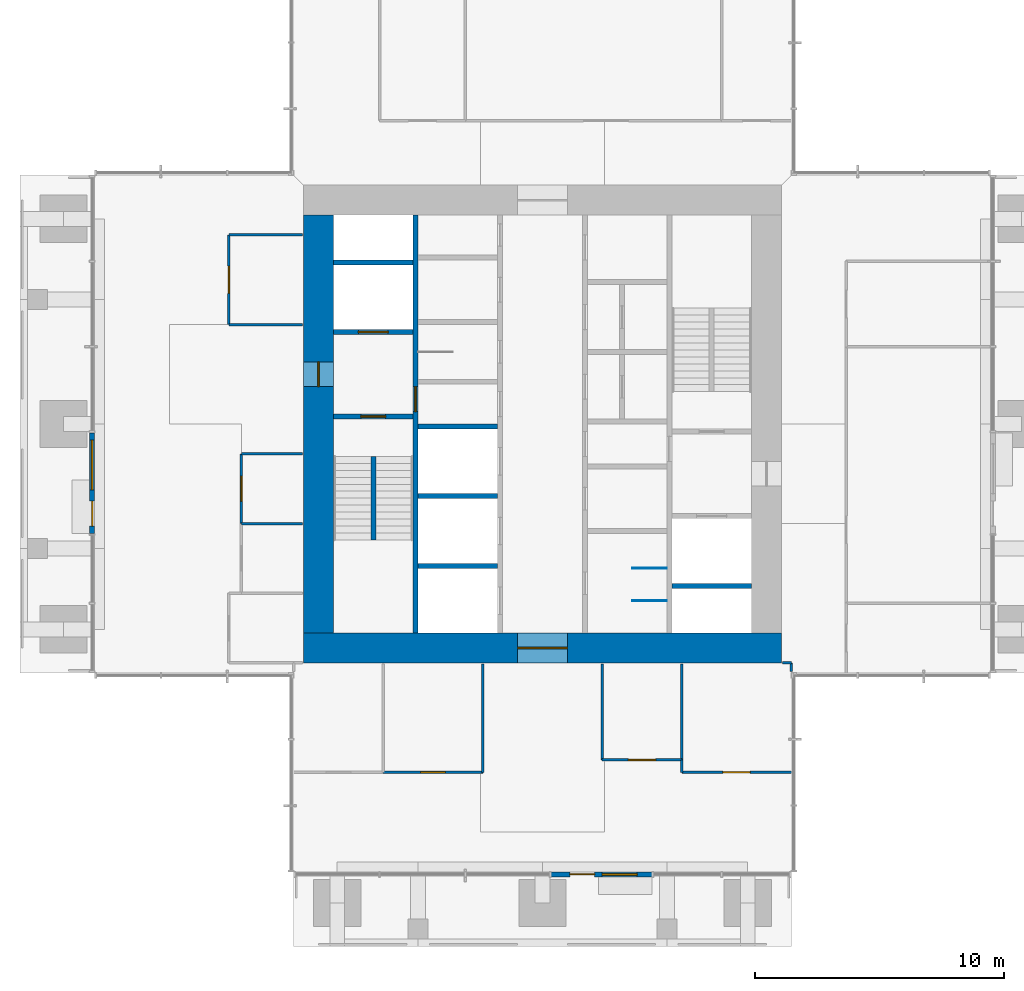
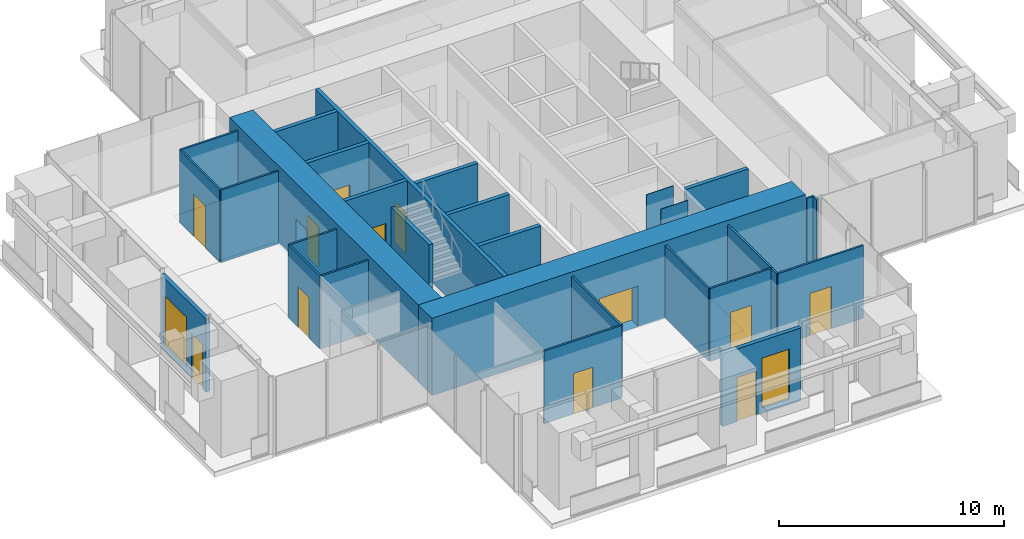
# One storey, part 7 of 12: 30 walls, 12 doors, 2 windows, 14 openings.
"""IFC4 building model written with IfcOpenShell, lengths in metres."""

from ifc_helpers import new_model, si_unit, direction, frame, frame_2d, origin, place, context, subcontext, project, spatial, rectangle, extrude, material, layer, layer_set, type_object, element, fill, save


model = new_model("IFC4")

# Units and contexts
model_context = context("Model", 3, precision=1e-05, world=origin(), true_north=direction((0.0, 1.0)))
body_context = subcontext(model_context, "Body", "Model", "MODEL_VIEW")
ifc_project = project(units=[si_unit("LENGTHUNIT", "METRE"), si_unit("AREAUNIT", "SQUARE_METRE"), si_unit("VOLUMEUNIT", "CUBIC_METRE"), si_unit("PLANEANGLEUNIT", "RADIAN"), si_unit("MASSUNIT", "GRAM", prefix="KILO")], contexts=[model_context])

# Site, building, storey
site_placement = place(None, origin())
site = spatial("IfcSite", under=ifc_project, at=site_placement, CompositionType="ELEMENT")
building_placement = place(site_placement, origin())
building = spatial("IfcBuilding", under=site, at=building_placement, Name="Svetlomir Tower", CompositionType="ELEMENT")
storey_placement = place(building_placement, frame((0.0, 0.0, 252.39990234375)))
storey = spatial("IfcBuildingStorey", under=building, at=storey_placement, Name="L60", CompositionType="ELEMENT", Elevation=252.39990234375)

# Wall, openings, door, window
ifc_material_1 = material(Name="Bronze anodised aluminium glazed screen", Category="aluminium")
ifc_layer_1 = layer(ifc_material_1, 0.199951171875)
ifc_layer_set_1 = layer_set([ifc_layer_1], Name="Bronze anodised aluminium glazed screen")
wall_type_1 = type_object("IfcWallType", Name="BALCONY SCREEN WALL 200", PredefinedType="USERDEFINED", material=ifc_layer_set_1)
wall_1_placement = place(storey_placement, frame((21.35009765625, 2.89990234375, 0.0), z_axis=(0.0, 0.0, 1.0), x_axis=(1.0, 0.0, 0.0)))
wall_1 = element("IfcWall", 1, at=wall_1_placement, inside=storey, type_object=wall_type_1, Name="Balcony screen S", ObjectType="GLAZED SCREEN", PredefinedType="USERDEFINED", context=body_context, shape_type="SweptSolid", body=[
    extrude(rectangle(XDim=4.0498046875, YDim=0.199951171875, at=frame_2d((2.02490234375, 0.0))), origin(), (0.0, 0.0, 1.0), 3.9501953125),
])
opening_1_placement = place(wall_1_placement, frame((0.75, 0.0, 0.0)))
opening_1 = element("IfcOpeningElement", 2, at=opening_1_placement, cuts=wall_1, Name="Opening BD", PredefinedType="OPENING", context=body_context, shape_type="SweptSolid", body=[
    extrude(rectangle(XDim=1.0, YDim=2.39990234375, at=frame_2d((0.5, 1.199951171875))), frame((0.0, 0.10986328125, 0.0), z_axis=(0.0, -1.0, 0.0), x_axis=(1.0, 0.0, 0.0)), (0.0, 0.0, 1.0), 0.219970703125),
])
opening_2_placement = place(wall_1_placement, frame((2.050048828125, 0.0, 0.300048828125)))
opening_2 = element("IfcOpeningElement", 3, at=opening_2_placement, cuts=wall_1, Name="Opening WS2", PredefinedType="OPENING", context=body_context, shape_type="SweptSolid", body=[
    extrude(rectangle(XDim=1.39990234375, YDim=2.699951171875, at=frame_2d((0.699951171875, 1.35009765625))), frame((0.0, 0.10986328125, 0.0), z_axis=(0.0, -1.0, 0.0), x_axis=(1.0, 0.0, 0.0)), (0.0, 0.0, 1.0), 0.219970703125),
])
ifc_material_2 = material(Name="Bronze anodised aluminium glazed door", Category="aluminium")
door_type_1 = type_object("IfcDoorType", Name="BALCONY DOOR BD 1000x2400", OperationType="SINGLE_SWING_LEFT", PredefinedType="DOOR", material=ifc_material_2)
door_1_placement = place(opening_1_placement, origin())
door_1 = element("IfcDoor", 4, at=door_1_placement, inside=storey, type_object=door_type_1, Name="Balcony screen S door", OperationType="SINGLE_SWING_LEFT", OverallHeight=2.39990234375, OverallWidth=1.0, PredefinedType="DOOR", context=body_context, shape_type="SweptSolid", body=[
    extrude(rectangle(XDim=1.0, YDim=2.39990234375, at=frame_2d((0.5, 1.199951171875))), frame((0.0, 0.02490234375, 0.0), z_axis=(0.0, -1.0, 0.0), x_axis=(1.0, 0.0, 0.0)), (0.0, 0.0, 1.0), 0.050048828125),
])
fill(opening_1, door_1)
ifc_material_3 = material(Name="Bronze anodised aluminium window", Category="aluminium")
window_type_1 = type_object("IfcWindowType", Name="SCREEN WINDOW WS2 1400x2700", PartitioningType="SINGLE_PANEL", PredefinedType="WINDOW", material=ifc_material_3)
window_1_placement = place(opening_2_placement, origin())
window_1 = element("IfcWindow", 5, at=window_1_placement, inside=storey, type_object=window_type_1, Name="Balcony screen S window 1", OverallHeight=2.699951171875, OverallWidth=1.39990234375, PartitioningType="SINGLE_PANEL", PredefinedType="WINDOW", context=body_context, shape_type="SweptSolid", body=[
    extrude(rectangle(XDim=1.39990234375, YDim=2.699951171875, at=frame_2d((0.699951171875, 1.35009765625))), frame((0.0, 0.030029296875, 0.0), z_axis=(0.0, -1.0, 0.0), x_axis=(1.0, 0.0, 0.0)), (0.0, 0.0, 1.0), 0.06005859375),
])
fill(opening_2, window_1)

wall_2_placement = place(storey_placement, frame((2.89990234375, 20.64990234375, 0.0), z_axis=(0.0, 0.0, 1.0), x_axis=(0.0, -1.0, 0.0)))
wall_2 = element("IfcWall", 6, at=wall_2_placement, inside=storey, type_object=wall_type_1, Name="Balcony screen W", ObjectType="GLAZED SCREEN", PredefinedType="USERDEFINED", context=body_context, shape_type="SweptSolid", body=[
    extrude(rectangle(XDim=4.0498046875, YDim=0.199951171875, at=frame_2d((2.02490234375, 0.0))), origin(), (0.0, 0.0, 1.0), 3.9501953125),
])
opening_3_placement = place(wall_2_placement, frame((2.75, 0.0, 0.0)))
opening_3 = element("IfcOpeningElement", 7, at=opening_3_placement, cuts=wall_2, Name="Opening BD", PredefinedType="OPENING", context=body_context, shape_type="SweptSolid", body=[
    extrude(rectangle(XDim=1.0, YDim=2.39990234375, at=frame_2d((0.5, 1.199951171875))), frame((0.0, 0.10986328125, 0.0), z_axis=(0.0, -1.0, 0.0), x_axis=(1.0, 0.0, 0.0)), (0.0, 0.0, 1.0), 0.219970703125),
])
opening_4_placement = place(wall_2_placement, frame((0.300048828125, 0.0, 0.300048828125)))
opening_4 = element("IfcOpeningElement", 8, at=opening_4_placement, cuts=wall_2, Name="Opening WS", PredefinedType="OPENING", context=body_context, shape_type="SweptSolid", body=[
    extrude(rectangle(XDim=2.0, YDim=2.699951171875, at=frame_2d((1.0, 1.35009765625))), frame((0.0, 0.10986328125, 0.0), z_axis=(0.0, -1.0, 0.0), x_axis=(1.0, 0.0, 0.0)), (0.0, 0.0, 1.0), 0.219970703125),
])
door_2_placement = place(opening_3_placement, origin())
door_2 = element("IfcDoor", 9, at=door_2_placement, inside=storey, type_object=door_type_1, Name="Balcony screen W door", OperationType="SINGLE_SWING_LEFT", OverallHeight=2.39990234375, OverallWidth=1.0, PredefinedType="DOOR", context=body_context, shape_type="SweptSolid", body=[
    extrude(rectangle(XDim=1.0, YDim=2.39990234375, at=frame_2d((0.5, 1.199951171875))), frame((0.0, 0.02490234375, 0.0), z_axis=(0.0, -1.0, 0.0), x_axis=(1.0, 0.0, 0.0)), (0.0, 0.0, 1.0), 0.050048828125),
])
fill(opening_3, door_2)
ifc_material_4 = material(Name="Bronze anodised aluminium window", Category="aluminium")
window_type_2 = type_object("IfcWindowType", Name="SCREEN WINDOW WS 2000x2700", PartitioningType="SINGLE_PANEL", PredefinedType="WINDOW", material=ifc_material_4)
window_2_placement = place(opening_4_placement, origin())
window_2 = element("IfcWindow", 10, at=window_2_placement, inside=storey, type_object=window_type_2, Name="Balcony screen W window 1", OverallHeight=2.699951171875, OverallWidth=2.0, PartitioningType="SINGLE_PANEL", PredefinedType="WINDOW", context=body_context, shape_type="SweptSolid", body=[
    extrude(rectangle(XDim=2.0, YDim=2.699951171875, at=frame_2d((1.0, 1.35009765625))), frame((0.0, 0.030029296875, 0.0), z_axis=(0.0, -1.0, 0.0), x_axis=(1.0, 0.0, 0.0)), (0.0, 0.0, 1.0), 0.06005859375),
])
fill(opening_4, window_2)

# Wall, opening, door
ifc_material_5 = material(Name="Concrete C60/75", Category="concrete")
ifc_layer_2 = layer(ifc_material_5, 0.199951171875)
ifc_layer_set_2 = layer_set([ifc_layer_2], Name="Concrete C60/75")
wall_type_2 = type_object("IfcWallType", Name="CORE INNER WALL 200", PredefinedType="SHEAR", material=ifc_layer_set_2)
wall_3_placement = place(storey_placement, frame((15.89990234375, 12.60009765625, -0.0498046875), z_axis=(0.0, 0.0, 1.0), x_axis=(0.0, 1.0, 0.0)))
wall_3 = element("IfcWall", 11, at=wall_3_placement, inside=storey, type_object=wall_type_2, Name="Core inner wall 15.9 L60", PredefinedType="SHEAR", context=body_context, shape_type="SweptSolid", body=[
    extrude(rectangle(XDim=16.7998046875, YDim=0.199951171875, at=frame_2d((8.39990234375, 0.0))), origin(), (0.0, 0.0, 1.0), 4.199951171875),
])
opening_5_placement = place(wall_3_placement, frame((8.89990234375, 0.0, 0.050048828125)))
opening_5 = element("IfcOpeningElement", 12, at=opening_5_placement, cuts=wall_3, Name="Opening DF", PredefinedType="OPENING", context=body_context, shape_type="SweptSolid", body=[
    extrude(rectangle(XDim=1.0, YDim=2.199951171875, at=frame_2d((0.5, 1.10009765625))), frame((0.0, 0.10986328125, 0.0), z_axis=(0.0, -1.0, 0.0), x_axis=(1.0, 0.0, 0.0)), (0.0, 0.0, 1.0), 0.219970703125),
])
ifc_material_6 = material(Name="Steel fire door", Category="steel")
door_type_2 = type_object("IfcDoorType", Name="DOOR DF 1000x2200", OperationType="SINGLE_SWING_LEFT", PredefinedType="DOOR", material=ifc_material_6)
door_3_placement = place(opening_5_placement, origin())
door_3 = element("IfcDoor", 13, at=door_3_placement, inside=storey, type_object=door_type_2, Name="Core corridor west door L60", OperationType="SINGLE_SWING_LEFT", OverallHeight=2.199951171875, OverallWidth=1.0, PredefinedType="DOOR", context=body_context, shape_type="SweptSolid", body=[
    extrude(rectangle(XDim=1.0, YDim=2.199951171875, at=frame_2d((0.5, 1.10009765625))), frame((0.0, 0.02490234375, 0.0), z_axis=(0.0, -1.0, 0.0), x_axis=(1.0, 0.0, 0.0)), (0.0, 0.0, 1.0), 0.050048828125),
])
fill(opening_5, door_3)

wall_4_placement = place(storey_placement, frame((12.60009765625, 21.300048828125, -0.0498046875), z_axis=(0.0, 0.0, 1.0), x_axis=(1.0, 0.0, 0.0)))
wall_4 = element("IfcWall", 14, at=wall_4_placement, inside=storey, type_object=wall_type_2, Name="Core inner wall 12.6-15.8/21.3 L60", PredefinedType="SHEAR", context=body_context, shape_type="SweptSolid", body=[
    extrude(rectangle(XDim=3.199951171875, YDim=0.199951171875, at=frame_2d((1.60009765625, 0.0))), origin(), (0.0, 0.0, 1.0), 4.199951171875),
])
opening_6_placement = place(wall_4_placement, frame((1.10009765625, 0.0, 0.050048828125)))
opening_6 = element("IfcOpeningElement", 15, at=opening_6_placement, cuts=wall_4, Name="Opening DF", PredefinedType="OPENING", context=body_context, shape_type="SweptSolid", body=[
    extrude(rectangle(XDim=1.0, YDim=2.199951171875, at=frame_2d((0.5, 1.10009765625))), frame((0.0, 0.10986328125, 0.0), z_axis=(0.0, -1.0, 0.0), x_axis=(1.0, 0.0, 0.0)), (0.0, 0.0, 1.0), 0.219970703125),
])
door_4_placement = place(opening_6_placement, origin())
door_4 = element("IfcDoor", 16, at=door_4_placement, inside=storey, type_object=door_type_2, Name="Stair S1 door L60", OperationType="SINGLE_SWING_LEFT", OverallHeight=2.199951171875, OverallWidth=1.0, PredefinedType="DOOR", context=body_context, shape_type="SweptSolid", body=[
    extrude(rectangle(XDim=1.0, YDim=2.199951171875, at=frame_2d((0.5, 1.10009765625))), frame((0.0, 0.02490234375, 0.0), z_axis=(0.0, -1.0, 0.0), x_axis=(1.0, 0.0, 0.0)), (0.0, 0.0, 1.0), 0.050048828125),
])
fill(opening_6, door_4)

wall_5_placement = place(storey_placement, frame((12.60009765625, 24.699951171875, -0.0498046875), z_axis=(0.0, 0.0, 1.0), x_axis=(1.0, 0.0, 0.0)))
wall_5 = element("IfcWall", 17, at=wall_5_placement, inside=storey, type_object=wall_type_2, Name="Core inner wall 12.6-15.8/24.7 L60", PredefinedType="SHEAR", context=body_context, shape_type="SweptSolid", body=[
    extrude(rectangle(XDim=3.199951171875, YDim=0.199951171875, at=frame_2d((1.60009765625, 0.0))), origin(), (0.0, 0.0, 1.0), 4.199951171875),
])
opening_7_placement = place(wall_5_placement, frame((1.0, 0.0, 0.050048828125)))
opening_7 = element("IfcOpeningElement", 18, at=opening_7_placement, cuts=wall_5, Name="Opening LD3", PredefinedType="OPENING", context=body_context, shape_type="SweptSolid", body=[
    extrude(rectangle(XDim=1.199951171875, YDim=2.199951171875, at=frame_2d((0.60009765625, 1.10009765625))), frame((0.0, 0.10986328125, 0.0), z_axis=(0.0, -1.0, 0.0), x_axis=(1.0, 0.0, 0.0)), (0.0, 0.0, 1.0), 0.219970703125),
])
ifc_material_7 = material(Name="Stainless steel fire-rated landing door", Category="steel")
door_type_3 = type_object("IfcDoorType", Name="FIREFIGHTING LIFT LANDING DOOR LD3 1200x2200", OperationType="DOUBLE_DOOR_SLIDING", PredefinedType="DOOR", material=ifc_material_7)
door_5_placement = place(opening_7_placement, origin())
door_5 = element("IfcDoor", 19, at=door_5_placement, inside=storey, type_object=door_type_3, Name="Landing door lift FL1 L60", OperationType="DOUBLE_DOOR_SLIDING", OverallHeight=2.199951171875, OverallWidth=1.199951171875, PredefinedType="DOOR", context=body_context, shape_type="SweptSolid", body=[
    extrude(rectangle(XDim=1.199951171875, YDim=2.199951171875, at=frame_2d((0.60009765625, 1.10009765625))), frame((0.0, 0.02490234375, 0.0), z_axis=(0.0, -1.0, 0.0), x_axis=(1.0, 0.0, 0.0)), (0.0, 0.0, 1.0), 0.050048828125),
])
fill(opening_7, door_5)

# Walls
for number, where, z_axis, x_axis, name in (
    (20, (12.60009765625, 27.5, -0.0498046875), (0.0, 0.0, 1.0), (1.0, 0.0, 0.0), "Core inner wall 12.6-15.8/27.5 L60"),
    (21, (16.0, 15.300048828125, -0.0498046875), (0.0, 0.0, 1.0), (1.0, 0.0, 0.0), "Core inner wall 16-19.2/15.3 L60"),
    (22, (16.0, 18.10009765625, -0.0498046875), (0.0, 0.0, 1.0), (1.0, 0.0, 0.0), "Core inner wall 16-19.2/18.1 L60"),
    (23, (16.0, 20.89990234375, -0.0498046875), (0.0, 0.0, 1.0), (1.0, 0.0, 0.0), "Core inner wall 16-19.2/20.9 L60"),
    (24, (26.199951171875, 14.5, -0.0498046875), (0.0, 0.0, 1.0), (1.0, 0.0, 0.0), "Core inner wall 26.2-29.4/14.5 L60"),
):
    element("IfcWall", number, at=place(storey_placement, frame(where, z_axis=z_axis, x_axis=x_axis)), inside=storey, type_object=wall_type_2, Name=name, PredefinedType="SHEAR", context=body_context, shape_type="SweptSolid", body=[
        extrude(rectangle(XDim=3.199951171875, YDim=0.199951171875, at=frame_2d((1.60009765625, 0.0))), origin(), (0.0, 0.0, 1.0), 4.199951171875),
    ])

# Wall, opening, door
ifc_material_8 = material(Name="Concrete C60/75", Category="concrete")
ifc_layer_3 = layer(ifc_material_8, 1.199951171875)
ifc_layer_set_3 = layer_set([ifc_layer_3], Name="Concrete C60/75")
wall_type_3 = type_object("IfcWallType", Name="CORE WALL 1200", PredefinedType="SHEAR", material=ifc_layer_set_3)
wall_6_placement = place(storey_placement, frame((11.39990234375, 12.0, -0.0498046875), z_axis=(0.0, 0.0, 1.0), x_axis=(1.0, 0.0, 0.0)))
wall_6 = element("IfcWall", 25, at=wall_6_placement, inside=storey, type_object=wall_type_3, Name="Core wall south L60", PredefinedType="SHEAR", context=body_context, shape_type="SweptSolid", body=[
    extrude(rectangle(XDim=19.2001953125, YDim=1.199951171875, at=frame_2d((9.60009765625, 0.0))), origin(), (0.0, 0.0, 1.0), 4.199951171875),
])
opening_8_placement = place(wall_6_placement, frame((8.60009765625, 0.0, 0.050048828125)))
opening_8 = element("IfcOpeningElement", 26, at=opening_8_placement, cuts=wall_6, Name="Opening DL", PredefinedType="OPENING", context=body_context, shape_type="SweptSolid", body=[
    extrude(rectangle(XDim=2.0, YDim=2.199951171875, at=frame_2d((1.0, 1.10009765625))), frame((0.0, 0.60986328125, 0.0), z_axis=(0.0, -1.0, 0.0), x_axis=(1.0, 0.0, 0.0)), (0.0, 0.0, 1.0), 1.219970703125),
])
ifc_material_9 = material(Name="Steel fire door", Category="steel")
door_type_4 = type_object("IfcDoorType", Name="DOOR DL 2000x2200", OperationType="DOUBLE_DOOR_SINGLE_SWING", PredefinedType="DOOR", material=ifc_material_9)
door_6_placement = place(opening_8_placement, origin())
door_6 = element("IfcDoor", 27, at=door_6_placement, inside=storey, type_object=door_type_4, Name="Lift lobby south door L60", OperationType="DOUBLE_DOOR_SINGLE_SWING", OverallHeight=2.199951171875, OverallWidth=2.0, PredefinedType="DOOR", context=body_context, shape_type="SweptSolid", body=[
    extrude(rectangle(XDim=2.0, YDim=2.199951171875, at=frame_2d((1.0, 1.10009765625))), frame((0.0, 0.02490234375, 0.0), z_axis=(0.0, -1.0, 0.0), x_axis=(1.0, 0.0, 0.0)), (0.0, 0.0, 1.0), 0.050048828125),
])
fill(opening_8, door_6)

wall_7_placement = place(storey_placement, frame((12.0, 12.60009765625, -0.0498046875), z_axis=(0.0, 0.0, 1.0), x_axis=(0.0, 1.0, 0.0)))
wall_7 = element("IfcWall", 28, at=wall_7_placement, inside=storey, type_object=wall_type_3, Name="Core wall west L60", PredefinedType="SHEAR", context=body_context, shape_type="SweptSolid", body=[
    extrude(rectangle(XDim=16.7998046875, YDim=1.199951171875, at=frame_2d((8.39990234375, 0.0))), origin(), (0.0, 0.0, 1.0), 4.199951171875),
])
opening_9_placement = place(wall_7_placement, frame((9.89990234375, 0.0, 0.050048828125)))
opening_9 = element("IfcOpeningElement", 29, at=opening_9_placement, cuts=wall_7, Name="Opening DF", PredefinedType="OPENING", context=body_context, shape_type="SweptSolid", body=[
    extrude(rectangle(XDim=1.0, YDim=2.199951171875, at=frame_2d((0.5, 1.10009765625))), frame((0.0, 0.60986328125, 0.0), z_axis=(0.0, -1.0, 0.0), x_axis=(1.0, 0.0, 0.0)), (0.0, 0.0, 1.0), 1.219970703125),
])
door_7_placement = place(opening_9_placement, origin())
door_7 = element("IfcDoor", 30, at=door_7_placement, inside=storey, type_object=door_type_2, Name="Firefighting lobby west door L60", OperationType="SINGLE_SWING_LEFT", OverallHeight=2.199951171875, OverallWidth=1.0, PredefinedType="DOOR", context=body_context, shape_type="SweptSolid", body=[
    extrude(rectangle(XDim=1.0, YDim=2.199951171875, at=frame_2d((0.5, 1.10009765625))), frame((0.0, 0.02490234375, 0.0), z_axis=(0.0, -1.0, 0.0), x_axis=(1.0, 0.0, 0.0)), (0.0, 0.0, 1.0), 0.050048828125),
])
fill(opening_9, door_7)

ifc_material_10 = material(Name="Framed laminated glass partition", Category="glass")
ifc_layer_4 = layer(ifc_material_10, 0.10009765625)
ifc_layer_set_4 = layer_set([ifc_layer_4], Name="Framed laminated glass partition")
wall_type_4 = type_object("IfcWallType", Name="GLAZED PARTITION 100", PredefinedType="PARTITIONING", material=ifc_layer_set_4)
wall_8_placement = place(storey_placement, frame((8.39990234375, 25.0, 0.0), z_axis=(0.0, 0.0, 1.0), x_axis=(0.0, 1.0, 0.0)))
wall_8 = element("IfcWall", 31, at=wall_8_placement, inside=storey, type_object=wall_type_4, Name="Glazed partition L60", PredefinedType="PARTITIONING", context=body_context, shape_type="SweptSolid", body=[
    extrude(rectangle(XDim=3.60009765625, YDim=0.10009765625, at=frame_2d((1.800048828125, 0.0))), origin(), (0.0, 0.0, 1.0), 3.9501953125),
])
opening_10_placement = place(wall_8_placement, frame((1.25, 0.0, 0.0)))
opening_10 = element("IfcOpeningElement", 32, at=opening_10_placement, cuts=wall_8, Name="Opening DE", PredefinedType="OPENING", context=body_context, shape_type="SweptSolid", body=[
    extrude(rectangle(XDim=1.10009765625, YDim=2.300048828125, at=frame_2d((0.550048828125, 1.14990234375))), frame((0.0, 0.06005859375, 0.0), z_axis=(0.0, -1.0, 0.0), x_axis=(1.0, 0.0, 0.0)), (0.0, 0.0, 1.0), 0.1201171875),
])
ifc_material_11 = material(Name="Walnut veneered timber door", Category="wood")
door_type_5 = type_object("IfcDoorType", Name="DOOR DE 1100x2300", OperationType="SINGLE_SWING_LEFT", PredefinedType="DOOR", material=ifc_material_11)
door_8_placement = place(opening_10_placement, origin())
door_8 = element("IfcDoor", 33, at=door_8_placement, inside=storey, type_object=door_type_5, Name="Executive meeting room, 4 seats door L60", OperationType="SINGLE_SWING_RIGHT", OverallHeight=2.300048828125, OverallWidth=1.10009765625, PredefinedType="DOOR", context=body_context, shape_type="SweptSolid", body=[
    extrude(rectangle(XDim=1.10009765625, YDim=2.300048828125, at=frame_2d((0.550048828125, 1.14990234375))), frame((0.0, 0.02490234375, 0.0), z_axis=(0.0, -1.0, 0.0), x_axis=(1.0, 0.0, 0.0)), (0.0, 0.0, 1.0), 0.050048828125),
])
fill(opening_10, door_8)

# Walls
for number, where, z_axis, x_axis, name in (
    (34, (8.39990234375, 25.0, 0.0), (0.0, 0.0, 1.0), (1.0, 0.0, 0.0), "Glazed partition L60"),
    (35, (8.39990234375, 28.60009765625, 0.0), (0.0, 0.0, 1.0), (1.0, 0.0, 0.0), "Glazed partition L60"),
):
    element("IfcWall", number, at=place(storey_placement, frame(where, z_axis=z_axis, x_axis=x_axis)), inside=storey, type_object=wall_type_4, Name=name, PredefinedType="PARTITIONING", context=body_context, shape_type="SweptSolid", body=[
        extrude(rectangle(XDim=2.9501953125, YDim=0.10009765625, at=frame_2d((1.47509765625, 0.0))), origin(), (0.0, 0.0, 1.0), 3.9501953125),
    ])

# Wall, opening, door
wall_9_placement = place(storey_placement, frame((8.89990234375, 17.0, 0.0), z_axis=(0.0, 0.0, 1.0), x_axis=(0.0, 1.0, 0.0)))
wall_9 = element("IfcWall", 36, at=wall_9_placement, inside=storey, type_object=wall_type_4, Name="Partition L60", PredefinedType="PARTITIONING", context=body_context, shape_type="SweptSolid", body=[
    extrude(rectangle(XDim=2.800048828125, YDim=0.10009765625, at=frame_2d((1.39990234375, 0.0))), origin(), (0.0, 0.0, 1.0), 3.9501953125),
])
opening_11_placement = place(wall_9_placement, frame((0.89990234375, 0.0, 0.0)))
opening_11 = element("IfcOpeningElement", 37, at=opening_11_placement, cuts=wall_9, Name="Opening DR", PredefinedType="OPENING", context=body_context, shape_type="SweptSolid", body=[
    extrude(rectangle(XDim=1.0, YDim=2.199951171875, at=frame_2d((0.5, 1.10009765625))), frame((0.0, 0.06005859375, 0.0), z_axis=(0.0, -1.0, 0.0), x_axis=(1.0, 0.0, 0.0)), (0.0, 0.0, 1.0), 0.1201171875),
])
ifc_material_12 = material(Name="Timber door, glazed side light", Category="wood")
door_type_6 = type_object("IfcDoorType", Name="DOOR DR 1000x2200", OperationType="SINGLE_SWING_LEFT", PredefinedType="DOOR", material=ifc_material_12)
door_9_placement = place(opening_11_placement, origin())
door_9 = element("IfcDoor", 38, at=door_9_placement, inside=storey, type_object=door_type_6, Name="Store door L60", OperationType="SINGLE_SWING_LEFT", OverallHeight=2.199951171875, OverallWidth=1.0, PredefinedType="DOOR", context=body_context, shape_type="SweptSolid", body=[
    extrude(rectangle(XDim=1.0, YDim=2.199951171875, at=frame_2d((0.5, 1.10009765625))), frame((0.0, 0.02490234375, 0.0), z_axis=(0.0, -1.0, 0.0), x_axis=(1.0, 0.0, 0.0)), (0.0, 0.0, 1.0), 0.050048828125),
])
fill(opening_11, door_9)

# Walls
for number, where, z_axis, x_axis, name in (
    (39, (8.89990234375, 17.0, 0.0), (0.0, 0.0, 1.0), (1.0, 0.0, 0.0), "Partition L60"),
    (40, (8.89990234375, 19.800048828125, 0.0), (0.0, 0.0, 1.0), (1.0, 0.0, 0.0), "Partition L60"),
):
    element("IfcWall", number, at=place(storey_placement, frame(where, z_axis=z_axis, x_axis=x_axis)), inside=storey, type_object=wall_type_4, Name=name, PredefinedType="PARTITIONING", context=body_context, shape_type="SweptSolid", body=[
        extrude(rectangle(XDim=2.4501953125, YDim=0.10009765625, at=frame_2d((1.22509765625, 0.0))), origin(), (0.0, 0.0, 1.0), 3.9501953125),
    ])

# Wall, opening, door
wall_10_placement = place(storey_placement, frame((14.60009765625, 7.0, 0.0), z_axis=(0.0, 0.0, 1.0), x_axis=(1.0, 0.0, 0.0)))
wall_10 = element("IfcWall", 41, at=wall_10_placement, inside=storey, type_object=wall_type_4, Name="Partition L60", PredefinedType="PARTITIONING", context=body_context, shape_type="SweptSolid", body=[
    extrude(rectangle(XDim=4.0, YDim=0.10009765625, at=frame_2d((2.0, 0.0))), origin(), (0.0, 0.0, 1.0), 3.9501953125),
])
opening_12_placement = place(wall_10_placement, frame((1.5, 0.0, 0.0)))
opening_12 = element("IfcOpeningElement", 42, at=opening_12_placement, cuts=wall_10, Name="Opening DR", PredefinedType="OPENING", context=body_context, shape_type="SweptSolid", body=[
    extrude(rectangle(XDim=1.0, YDim=2.199951171875, at=frame_2d((0.5, 1.10009765625))), frame((0.0, 0.06005859375, 0.0), z_axis=(0.0, -1.0, 0.0), x_axis=(1.0, 0.0, 0.0)), (0.0, 0.0, 1.0), 0.1201171875),
])
door_10_placement = place(opening_12_placement, origin())
door_10 = element("IfcDoor", 43, at=door_10_placement, inside=storey, type_object=door_type_6, Name="PA office 2 door L60", OperationType="SINGLE_SWING_RIGHT", OverallHeight=2.199951171875, OverallWidth=1.0, PredefinedType="DOOR", context=body_context, shape_type="SweptSolid", body=[
    extrude(rectangle(XDim=1.0, YDim=2.199951171875, at=frame_2d((0.5, 1.10009765625))), frame((0.0, 0.02490234375, 0.0), z_axis=(0.0, -1.0, 0.0), x_axis=(1.0, 0.0, 0.0)), (0.0, 0.0, 1.0), 0.050048828125),
])
fill(opening_12, door_10)

# Walls
wall_11_placement = place(storey_placement, frame((18.60009765625, 7.0, 0.0), z_axis=(0.0, 0.0, 1.0), x_axis=(0.0, 1.0, 0.0)))
element("IfcWall", 44, at=wall_11_placement, inside=storey, type_object=wall_type_4, Name="Partition L60", PredefinedType="PARTITIONING", context=body_context, shape_type="SweptSolid", body=[
    extrude(rectangle(XDim=4.35009765625, YDim=0.10009765625, at=frame_2d((2.175048828125, 0.0))), origin(), (0.0, 0.0, 1.0), 3.9501953125),
])
wall_12_placement = place(storey_placement, frame((23.39990234375, 7.5, 0.0), z_axis=(0.0, 0.0, 1.0), x_axis=(0.0, 1.0, 0.0)))
element("IfcWall", 45, at=wall_12_placement, inside=storey, type_object=wall_type_4, Name="Glazed partition L60", PredefinedType="PARTITIONING", context=body_context, shape_type="SweptSolid", body=[
    extrude(rectangle(XDim=3.85009765625, YDim=0.10009765625, at=frame_2d((1.925048828125, 0.0))), origin(), (0.0, 0.0, 1.0), 3.9501953125),
])

# Wall, opening, door
wall_13_placement = place(storey_placement, frame((23.39990234375, 7.5, 0.0), z_axis=(0.0, 0.0, 1.0), x_axis=(1.0, 0.0, 0.0)))
wall_13 = element("IfcWall", 46, at=wall_13_placement, inside=storey, type_object=wall_type_4, Name="Glazed partition L60", PredefinedType="PARTITIONING", context=body_context, shape_type="SweptSolid", body=[
    extrude(rectangle(XDim=3.2001953125, YDim=0.10009765625, at=frame_2d((1.60009765625, 0.0))), origin(), (0.0, 0.0, 1.0), 3.9501953125),
])
opening_13_placement = place(wall_13_placement, frame((1.050048828125, 0.0, 0.0)))
opening_13 = element("IfcOpeningElement", 47, at=opening_13_placement, cuts=wall_13, Name="Opening DE", PredefinedType="OPENING", context=body_context, shape_type="SweptSolid", body=[
    extrude(rectangle(XDim=1.10009765625, YDim=2.300048828125, at=frame_2d((0.550048828125, 1.14990234375))), frame((0.0, 0.06005859375, 0.0), z_axis=(0.0, -1.0, 0.0), x_axis=(1.0, 0.0, 0.0)), (0.0, 0.0, 1.0), 0.1201171875),
])
door_11_placement = place(opening_13_placement, origin())
door_11 = element("IfcDoor", 48, at=door_11_placement, inside=storey, type_object=door_type_5, Name="Executive pantry door L60", OperationType="SINGLE_SWING_LEFT", OverallHeight=2.300048828125, OverallWidth=1.10009765625, PredefinedType="DOOR", context=body_context, shape_type="SweptSolid", body=[
    extrude(rectangle(XDim=1.10009765625, YDim=2.300048828125, at=frame_2d((0.550048828125, 1.14990234375))), frame((0.0, 0.02490234375, 0.0), z_axis=(0.0, -1.0, 0.0), x_axis=(1.0, 0.0, 0.0)), (0.0, 0.0, 1.0), 0.050048828125),
])
fill(opening_13, door_11)

# Wall
wall_14_placement = place(storey_placement, frame((26.60009765625, 7.0, 0.0), z_axis=(0.0, 0.0, 1.0), x_axis=(0.0, 1.0, 0.0)))
element("IfcWall", 49, at=wall_14_placement, inside=storey, type_object=wall_type_4, Name="Glazed partition L60", PredefinedType="PARTITIONING", context=body_context, shape_type="SweptSolid", body=[
    extrude(rectangle(XDim=0.5, YDim=0.10009765625, at=frame_2d((0.25, 0.0))), origin(), (0.0, 0.0, 1.0), 3.9501953125),
])

# Wall, opening, door
wall_15_placement = place(storey_placement, frame((26.60009765625, 7.0, 0.0), z_axis=(0.0, 0.0, 1.0), x_axis=(1.0, 0.0, 0.0)))
wall_15 = element("IfcWall", 50, at=wall_15_placement, inside=storey, type_object=wall_type_4, Name="Glazed partition L60", PredefinedType="PARTITIONING", context=body_context, shape_type="SweptSolid", body=[
    extrude(rectangle(XDim=4.39990234375, YDim=0.10009765625, at=frame_2d((2.199951171875, 0.0))), origin(), (0.0, 0.0, 1.0), 3.9501953125),
])
opening_14_placement = place(wall_15_placement, frame((1.64990234375, 0.0, 0.0)))
opening_14 = element("IfcOpeningElement", 51, at=opening_14_placement, cuts=wall_15, Name="Opening DE", PredefinedType="OPENING", context=body_context, shape_type="SweptSolid", body=[
    extrude(rectangle(XDim=1.10009765625, YDim=2.300048828125, at=frame_2d((0.550048828125, 1.14990234375))), frame((0.0, 0.06005859375, 0.0), z_axis=(0.0, -1.0, 0.0), x_axis=(1.0, 0.0, 0.0)), (0.0, 0.0, 1.0), 0.1201171875),
])
door_12_placement = place(opening_14_placement, origin())
door_12 = element("IfcDoor", 52, at=door_12_placement, inside=storey, type_object=door_type_5, Name="Executive meeting room, 6 seats door L60", OperationType="SINGLE_SWING_LEFT", OverallHeight=2.300048828125, OverallWidth=1.10009765625, PredefinedType="DOOR", context=body_context, shape_type="SweptSolid", body=[
    extrude(rectangle(XDim=1.10009765625, YDim=2.300048828125, at=frame_2d((0.550048828125, 1.14990234375))), frame((0.0, 0.02490234375, 0.0), z_axis=(0.0, -1.0, 0.0), x_axis=(1.0, 0.0, 0.0)), (0.0, 0.0, 1.0), 0.050048828125),
])
fill(opening_14, door_12)

# Walls
wall_16_placement = place(storey_placement, frame((26.60009765625, 7.5, 0.0), z_axis=(0.0, 0.0, 1.0), x_axis=(0.0, 1.0, 0.0)))
element("IfcWall", 53, at=wall_16_placement, inside=storey, type_object=wall_type_4, Name="Partition L60", PredefinedType="PARTITIONING", context=body_context, shape_type="SweptSolid", body=[
    extrude(rectangle(XDim=3.85009765625, YDim=0.10009765625, at=frame_2d((1.925048828125, 0.0))), origin(), (0.0, 0.0, 1.0), 3.9501953125),
])
wall_17_placement = place(storey_placement, frame((30.64990234375, 11.39990234375, 0.0), z_axis=(0.0, 0.0, 1.0), x_axis=(1.0, 0.0, 0.0)))
element("IfcWall", 54, at=wall_17_placement, inside=storey, type_object=wall_type_4, Name="Glazed partition L60", PredefinedType="PARTITIONING", context=body_context, shape_type="SweptSolid", body=[
    extrude(rectangle(XDim=0.35009765625, YDim=0.10009765625, at=frame_2d((0.175048828125, 0.0))), origin(), (0.0, 0.0, 1.0), 3.9501953125),
])
wall_18_placement = place(storey_placement, frame((31.0, 11.050048828125, 0.0), z_axis=(0.0, 0.0, 1.0), x_axis=(0.0, 1.0, 0.0)))
element("IfcWall", 55, at=wall_18_placement, inside=storey, type_object=wall_type_4, Name="Glazed partition L60", PredefinedType="PARTITIONING", context=body_context, shape_type="SweptSolid", body=[
    extrude(rectangle(XDim=0.349853515625, YDim=0.10009765625, at=frame_2d((0.1748046875, 0.0))), origin(), (0.0, 0.0, 1.0), 3.9501953125),
])
ifc_material_13 = material(Name="Concrete C60/75", Category="concrete")
ifc_layer_5 = layer(ifc_material_13, 0.199951171875)
ifc_layer_set_5 = layer_set([ifc_layer_5], Name="Concrete C60/75")
wall_type_5 = type_object("IfcWallType", Name="STAIR SPINE WALL 200", PredefinedType="PARTITIONING", material=ifc_layer_set_5)
wall_19_placement = place(storey_placement, frame((14.199951171875, 16.340087890625, 0.0), z_axis=(0.0, 0.0, 1.0), x_axis=(0.0, 1.0, 0.0)))
element("IfcWall", 56, at=wall_19_placement, inside=storey, type_object=wall_type_5, Name="Stair S1 spine wall L60", PredefinedType="PARTITIONING", context=body_context, shape_type="SweptSolid", body=[
    extrude(rectangle(XDim=3.35986328125, YDim=0.199951171875, at=frame_2d((1.679931640625, 0.0))), origin(), (0.0, 0.0, 1.0), 4.2001953125),
])
ifc_material_14 = material(Name="Compact laminate panel", Category="plastic")
ifc_layer_6 = layer(ifc_material_14, 0.030029296875)
ifc_layer_set_6 = layer_set([ifc_layer_6], Name="Compact laminate panel")
wall_type_6 = type_object("IfcWallType", Name="WC CUBICLE PARTITION 30", PredefinedType="PARTITIONING", material=ifc_layer_set_6)
for number, where, z_axis, x_axis, name in (
    (57, (24.60009765625, 13.89990234375, 0.0), (0.0, 0.0, 1.0), (1.0, 0.0, 0.0), "WC cubicle partition L60"),
    (58, (24.60009765625, 15.199951171875, 0.0), (0.0, 0.0, 1.0), (1.0, 0.0, 0.0), "WC cubicle partition L60"),
):
    element("IfcWall", number, at=place(storey_placement, frame(where, z_axis=z_axis, x_axis=x_axis)), inside=storey, type_object=wall_type_6, Name=name, PredefinedType="PARTITIONING", context=body_context, shape_type="SweptSolid", body=[
        extrude(rectangle(XDim=1.39990234375, YDim=0.030029296875, at=frame_2d((0.699951171875, 0.0))), origin(), (0.0, 0.0, 1.0), 3.9501953125),
    ])

save(model, "model.ifc")
